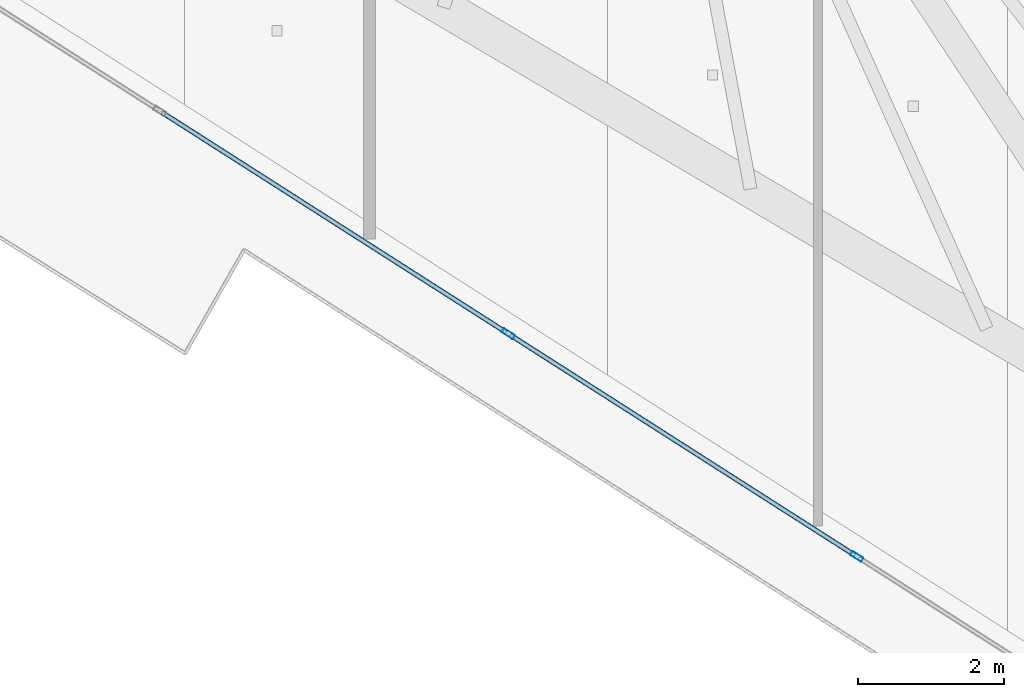
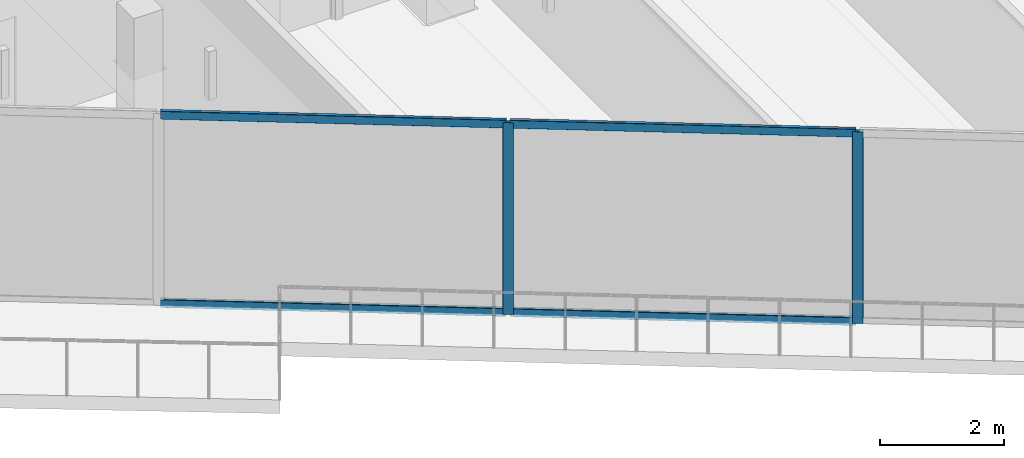
# One storey, part 3 of 36: 6 members, 1 element without a shape of its own.
"""IFC4 building model written with IfcOpenShell, lengths in metres."""

import ifcopenshell
import ifcopenshell.guid

model = None  # the IFC model being written
_history = None  # IfcOwnerHistory: only IFC2X3 demands one
_inside = {}  # id of a spatial element -> (the spatial element, [elements in it])
_under = {}  # id of a project, library or spatial element -> (it, [spatial elements below it])
_declared = {}  # id of a project -> (the project, [libraries it declares])
_typed = {}  # id of a type object -> (the type object, [elements of that type])
_made_of = {}  # id of a material, layer set ... -> (it, [elements and type objects made of it])


def new_model(schema):
    """Start an empty IFC model of exactly this schema.

    Asked for "IFC4X3", IfcOpenShell would pick the latest addendum, in which some entities
    have other attributes; the version numbers below select the first issue.
    IFC2X3 requires an IfcOwnerHistory on every rooted entity: one is made here for all.
    """
    global model, _history
    if schema == "IFC4X3":
        model = ifcopenshell.file(schema_version=(4, 3, 0, 0))
    else:
        model = ifcopenshell.file(schema=schema)
    _inside.clear()
    _under.clear()
    _declared.clear()
    _typed.clear()
    _made_of.clear()
    _history = None
    if model.schema == "IFC2X3":
        org = make("IfcOrganization", Name="unknown")
        user = make(
            "IfcPersonAndOrganization",
            ThePerson=make("IfcPerson", FamilyName="unknown"),
            TheOrganization=org,
        )
        app = make(
            "IfcApplication",
            ApplicationDeveloper=org,
            Version="unknown",
            ApplicationFullName="unknown",
            ApplicationIdentifier="unknown",
        )
        _history = make(
            "IfcOwnerHistory",
            OwningUser=user,
            OwningApplication=app,
            ChangeAction="ADDED",
            CreationDate=0,
        )
    return model


def make(cls, **values):
    """One entity of the class cls with the attributes given. An attribute that is None is left unset."""
    return model.create_entity(
        cls, **{name: value for name, value in values.items() if value is not None}
    )


def rooted(cls, **values):
    """An entity with a GlobalId (a new one), such as an element, a storey or a relation."""
    return make(cls, GlobalId=ifcopenshell.guid.new(), OwnerHistory=_history, **values)


def si_unit(unit_type, name, prefix=None):
    """IfcSIUnit, for example si_unit("LENGTHUNIT", "METRE", prefix="MILLI")."""
    return make("IfcSIUnit", UnitType=unit_type, Prefix=prefix, Name=name)


def assignment(units):
    """IfcUnitAssignment: the units of a project."""
    return None if units is None else make("IfcUnitAssignment", Units=units)


def point(xyz):
    """IfcCartesianPoint."""
    return None if xyz is None else make("IfcCartesianPoint", Coordinates=xyz)


def direction(xyz):
    """IfcDirection."""
    return None if xyz is None else make("IfcDirection", DirectionRatios=xyz)


def frame(location, z_axis=None, x_axis=None):
    """IfcAxis2Placement3D, a coordinate frame: its origin and axes. An axis left out is left unset."""
    return make(
        "IfcAxis2Placement3D",
        Location=point(location),
        Axis=direction(z_axis),
        RefDirection=direction(x_axis),
    )


def frame_2d(location, x_axis=None):
    """IfcAxis2Placement2D, a coordinate frame in the plane: its origin and x axis."""
    return make(
        "IfcAxis2Placement2D", Location=point(location), RefDirection=direction(x_axis)
    )


def origin():
    """The frame at (0, 0, 0) with its axes left unset."""
    return frame((0.0, 0.0, 0.0))


def origin_2d():
    """The frame at (0, 0) in the plane with its x axis left unset."""
    return frame_2d((0.0, 0.0))


def place(relative_to, where):
    """IfcLocalPlacement: puts the frame where relative to a parent placement (None: the world)."""
    return make(
        "IfcLocalPlacement", PlacementRelTo=relative_to, RelativePlacement=where
    )


def context(
    kind, dimensions, precision=None, world=None, true_north=None, identifier=None
):
    """IfcGeometricRepresentationContext, for example the 3D "Model" context."""
    return make(
        "IfcGeometricRepresentationContext",
        ContextIdentifier=identifier,
        ContextType=kind,
        CoordinateSpaceDimension=dimensions,
        Precision=precision,
        WorldCoordinateSystem=world,
        TrueNorth=true_north,
    )


def subcontext(parent, identifier, kind, view, scale=None):
    """IfcGeometricRepresentationSubContext, for example "Body" below "Model"."""
    return make(
        "IfcGeometricRepresentationSubContext",
        ContextIdentifier=identifier,
        ContextType=kind,
        ParentContext=parent,
        TargetScale=scale,
        TargetView=view,
    )


def project(units=None, contexts=None):
    """IfcProject with its units and contexts."""
    return rooted(
        "IfcProject",
        Name="project",
        RepresentationContexts=contexts,
        UnitsInContext=assignment(units),
    )


def spatial(cls, under=None, at=None, **own):
    """A site, building, storey or space (cls), placed at a placement, below another one or the project."""
    s = rooted(cls, ObjectPlacement=at, **own)
    if under is not None:
        _under.setdefault(under.id(), (under, []))[1].append(s)
    return s


def profile(cls, at=None, kind="AREA", **sizes):
    """A parametric profile (cls). Its sizes go by their IFC names, for example OverallWidth=200.0."""
    return make(cls, ProfileType=kind, Position=at, **sizes)


def hollow_rectangle(**sizes):
    """IfcRectangleHollowProfileDef."""
    return profile("IfcRectangleHollowProfileDef", **sizes)


def extrude(swept, where, along, depth):
    """IfcExtrudedAreaSolid: the profile swept, set in the frame where, extruded along a direction by depth."""
    return make(
        "IfcExtrudedAreaSolid",
        SweptArea=swept,
        Position=where,
        ExtrudedDirection=direction(along),
        Depth=depth,
    )


def shape(context_of_items, identifier, shape_type, items):
    """IfcShapeRepresentation: the items that make up one representation, for example the "Body"."""
    return make(
        "IfcShapeRepresentation",
        ContextOfItems=context_of_items,
        RepresentationIdentifier=identifier,
        RepresentationType=shape_type,
        Items=items,
    )


def material(Name=None, Category=None):
    """IfcMaterial."""
    return make("IfcMaterial", Name=Name, Category=Category)


def layer(
    of_material, thickness, ventilated=None, Name=None, Category=None, Priority=None
):
    """IfcMaterialLayer: one layer of a wall or slab, of a material (None: an air gap)."""
    return make(
        "IfcMaterialLayer",
        Material=of_material,
        LayerThickness=thickness,
        IsVentilated=ventilated,
        Name=Name,
        Category=Category,
        Priority=Priority,
    )


def layer_set(layers, Name=None):
    """IfcMaterialLayerSet."""
    return make("IfcMaterialLayerSet", MaterialLayers=layers, LayerSetName=Name)


def material_profile(
    of_material, cross_section, Name=None, Category=None, Priority=None
):
    """IfcMaterialProfile: a cross section and its material."""
    return make(
        "IfcMaterialProfile",
        Name=Name,
        Material=of_material,
        Profile=cross_section,
        Priority=Priority,
        Category=Category,
    )


def profile_set(profiles, Name=None, composite=None):
    """IfcMaterialProfileSet."""
    return make(
        "IfcMaterialProfileSet",
        Name=Name,
        MaterialProfiles=profiles,
        CompositeProfile=composite,
    )


def made_of(thing, what):
    """Note that an element or type object is made of a material, layer set ...; save() writes the relation."""
    if what is not None:
        _made_of.setdefault(what.id(), (what, []))[1].append(thing)
    return thing


def type_object(cls, material=None, **own):
    """A type object (cls), such as IfcWallType, which elements share."""
    return made_of(rooted(cls, **own), material)


def element(
    cls,
    number,
    at=None,
    inside=None,
    cuts=None,
    type_object=None,
    material=None,
    context=None,
    identifier="Body",
    shape_type=None,
    held_by="IfcProductDefinitionShape",
    body=None,
    shapes=None,
    **own,
):
    """One element of the class cls, such as IfcWall. Its Tag is "e" and its number.

    at: its placement. inside: the storey or other place that contains it. cuts: it is an
    opening in that element (IfcRelVoidsElement). A single representation is given by context,
    identifier, shape_type and body (its items); several are given by shapes. held_by: the class
    of the entity that holds the representations. save() writes the other relations.
    """
    e = rooted(cls, Tag="e%d" % number, ObjectPlacement=at, **own)
    if body is not None:
        shapes = [shape(context, identifier, shape_type, body)]
    if shapes is not None:
        e.Representation = make(held_by, Representations=shapes)
    if inside is not None:
        _inside.setdefault(inside.id(), (inside, []))[1].append(e)
    if cuts is not None:
        rooted(
            "IfcRelVoidsElement", RelatingBuildingElement=cuts, RelatedOpeningElement=e
        )
    if type_object is not None:
        _typed.setdefault(type_object.id(), (type_object, []))[1].append(e)
    return made_of(e, material)


def aggregate(whole, parts):
    """IfcRelAggregates: a whole, such as a stair, and the parts it consists of."""
    return rooted("IfcRelAggregates", RelatingObject=whole, RelatedObjects=parts)


def save(model, path):
    """Write the relations noted so far, then the file.

    IfcRelAggregates (storeys below a building ...), IfcRelContainedInSpatialStructure (elements
    in a storey), IfcRelDefinesByType, IfcRelAssociatesMaterial and IfcRelDeclares: one each for
    every whole, place, type object, material and project.
    """
    for whole, parts in _under.values():
        aggregate(whole, parts)
    for where, things in _inside.values():
        rooted(
            "IfcRelContainedInSpatialStructure",
            RelatedElements=things,
            RelatingStructure=where,
        )
    for kind, things in _typed.values():
        rooted("IfcRelDefinesByType", RelatedObjects=things, RelatingType=kind)
    for what, things in _made_of.values():
        rooted("IfcRelAssociatesMaterial", RelatedObjects=things, RelatingMaterial=what)
    for by, libraries in _declared.values():
        rooted("IfcRelDeclares", RelatingContext=by, RelatedDefinitions=libraries)
    model.write(path)


model = new_model("IFC4")

# Units and contexts
model_context = context("Model", 3, precision=1e-05, world=origin(), true_north=direction((0.0, 1.0)))
body_context = subcontext(model_context, "Body", "Model", "MODEL_VIEW")
ifc_project = project(units=[si_unit("LENGTHUNIT", "METRE"), si_unit("AREAUNIT", "SQUARE_METRE"), si_unit("VOLUMEUNIT", "CUBIC_METRE"), si_unit("PLANEANGLEUNIT", "RADIAN"), si_unit("MASSUNIT", "GRAM", prefix="KILO")], contexts=[model_context])

# Site, building, storey
site_placement = place(None, origin())
site = spatial("IfcSite", under=ifc_project, at=site_placement, CompositionType="ELEMENT")
building_placement = place(site_placement, origin())
building = spatial("IfcBuilding", under=site, at=building_placement, Name="Qorvath Tower", CompositionType="ELEMENT")
storey_placement = place(building_placement, frame((0.0, 0.0, 241.5)))
storey = spatial("IfcBuildingStorey", under=building, at=storey_placement, Name="L56", CompositionType="ELEMENT", Elevation=241.5)

# Curtain wall, members
ifc_material_1 = material(Name="Anodised aluminium and triple low-E glass", Category="aluminium")
ifc_layer = layer(ifc_material_1, 0.179931640625)
ifc_layer_set = layer_set([ifc_layer], Name="CW-SYS-3")
curtain_wall_type = type_object("IfcCurtainWallType", Name="CW-SYS-3", PredefinedType="NOTDEFINED", material=ifc_layer_set)
curtain_wall_placement = place(storey_placement, origin())
curtain_wall = element("IfcCurtainWall", 1, at=curtain_wall_placement, inside=storey, type_object=curtain_wall_type, Name="Curtain Wall CW-3 CW-T-L56-2.2", PredefinedType="NOTDEFINED")
ifc_material_2 = material(Name="Anodised aluminium 6063-T6", Category="aluminium")
ifc_material_profile_1 = material_profile(ifc_material_2, hollow_rectangle(XDim=0.06494140625, YDim=0.179931640625, WallThickness=0.00341796875, InnerFilletRadius=0.00341796875, OuterFilletRadius=0.007080078125, at=origin_2d()), Name="CWM 180x65")
ifc_profile_set_1 = profile_set([ifc_material_profile_1], Name="Anodised aluminium 6063-T6")
member_type_1 = type_object("IfcMemberType", Name="CWM-180", PredefinedType="MULLION", material=ifc_profile_set_1)
member_1_placement = place(storey_placement, frame((-26.966064453125, -19.5947265625, 0.0), z_axis=(0.0, 0.0, 1.0), x_axis=(0.538530320734, 0.84260613198, 0.0)))
member_1 = element("IfcMember", 2, at=member_1_placement, type_object=member_type_1, Name="CW-3 mullion 3", PredefinedType="MULLION", context=body_context, shape_type="SweptSolid", body=[
    extrude(hollow_rectangle(XDim=0.06494140625, YDim=0.179931640625, WallThickness=0.00341796875, InnerFilletRadius=0.00341796875, OuterFilletRadius=0.007080078125, at=origin_2d()), origin(), (0.0, 0.0, 1.0), 3.780029296875),
])
member_2_placement = place(storey_placement, frame((-22.202392578125, -22.63916015625, 0.0), z_axis=(0.0, 0.0, 1.0), x_axis=(0.538530320734, 0.84260613198, 0.0)))
member_2 = element("IfcMember", 3, at=member_2_placement, type_object=member_type_1, Name="CW-3 mullion 4", PredefinedType="MULLION", context=body_context, shape_type="SweptSolid", body=[
    extrude(hollow_rectangle(XDim=0.06494140625, YDim=0.179931640625, WallThickness=0.00341796875, InnerFilletRadius=0.00341796875, OuterFilletRadius=0.007080078125, at=origin_2d()), origin(), (0.0, 0.0, 1.0), 3.780029296875),
])
ifc_material_3 = material(Name="Anodised aluminium 6063-T6", Category="aluminium")
ifc_material_profile_2 = material_profile(ifc_material_3, hollow_rectangle(XDim=0.06494140625, YDim=0.159912109375, WallThickness=0.00341796875, InnerFilletRadius=0.00341796875, OuterFilletRadius=0.007080078125, at=origin_2d()), Name="CWT 160x65")
ifc_profile_set_2 = profile_set([ifc_material_profile_2], Name="Anodised aluminium 6063-T6")
member_type_2 = type_object("IfcMemberType", Name="CWT-160", PredefinedType="USERDEFINED", material=ifc_profile_set_2)
member_3_placement = place(storey_placement, frame((-31.7021484375, -16.567626953125, 0.032470703125), z_axis=(0.842602097229, -0.538536633615, 0.0), x_axis=(0.538536633615, 0.842602097229, 0.0)))
member_3 = element("IfcMember", 4, at=member_3_placement, type_object=member_type_2, Name="CW-3 transom 2.1", ObjectType="TRANSOM", PredefinedType="USERDEFINED", context=body_context, shape_type="SweptSolid", body=[
    extrude(hollow_rectangle(XDim=0.06494140625, YDim=0.159912109375, WallThickness=0.00341796875, InnerFilletRadius=0.00341796875, OuterFilletRadius=0.007080078125, at=origin_2d()), origin(), (0.0, 0.0, 1.0), 5.58837890625),
])
member_4_placement = place(storey_placement, frame((-31.7021484375, -16.567626953125, 3.74755859375), z_axis=(0.842602097229, -0.538536633615, 0.0), x_axis=(0.538536633615, 0.842602097229, 0.0)))
member_4 = element("IfcMember", 5, at=member_4_placement, type_object=member_type_2, Name="CW-3 transom 2.2", ObjectType="TRANSOM", PredefinedType="USERDEFINED", context=body_context, shape_type="SweptSolid", body=[
    extrude(hollow_rectangle(XDim=0.06494140625, YDim=0.159912109375, WallThickness=0.00341796875, InnerFilletRadius=0.00341796875, OuterFilletRadius=0.007080078125, at=origin_2d()), origin(), (0.0, 0.0, 1.0), 5.58837890625),
])
member_5_placement = place(storey_placement, frame((-26.9384765625, -19.6123046875, 0.032470703125), z_axis=(0.842602097229, -0.538536633615, 0.0), x_axis=(0.538536633615, 0.842602097229, 0.0)))
member_5 = element("IfcMember", 6, at=member_5_placement, type_object=member_type_2, Name="CW-3 transom 3.1", ObjectType="TRANSOM", PredefinedType="USERDEFINED", context=body_context, shape_type="SweptSolid", body=[
    extrude(hollow_rectangle(XDim=0.06494140625, YDim=0.159912109375, WallThickness=0.00341796875, InnerFilletRadius=0.00341796875, OuterFilletRadius=0.007080078125, at=origin_2d()), origin(), (0.0, 0.0, 1.0), 5.58837890625),
])
member_6_placement = place(storey_placement, frame((-26.9384765625, -19.6123046875, 3.74755859375), z_axis=(0.842602097229, -0.538536633615, 0.0), x_axis=(0.538536633615, 0.842602097229, 0.0)))
member_6 = element("IfcMember", 7, at=member_6_placement, type_object=member_type_2, Name="CW-3 transom 3.2", ObjectType="TRANSOM", PredefinedType="USERDEFINED", context=body_context, shape_type="SweptSolid", body=[
    extrude(hollow_rectangle(XDim=0.06494140625, YDim=0.159912109375, WallThickness=0.00341796875, InnerFilletRadius=0.00341796875, OuterFilletRadius=0.007080078125, at=origin_2d()), origin(), (0.0, 0.0, 1.0), 5.58837890625),
])
aggregate(curtain_wall, [member_1, member_2, member_3, member_4, member_5, member_6])

save(model, "model.ifc")
